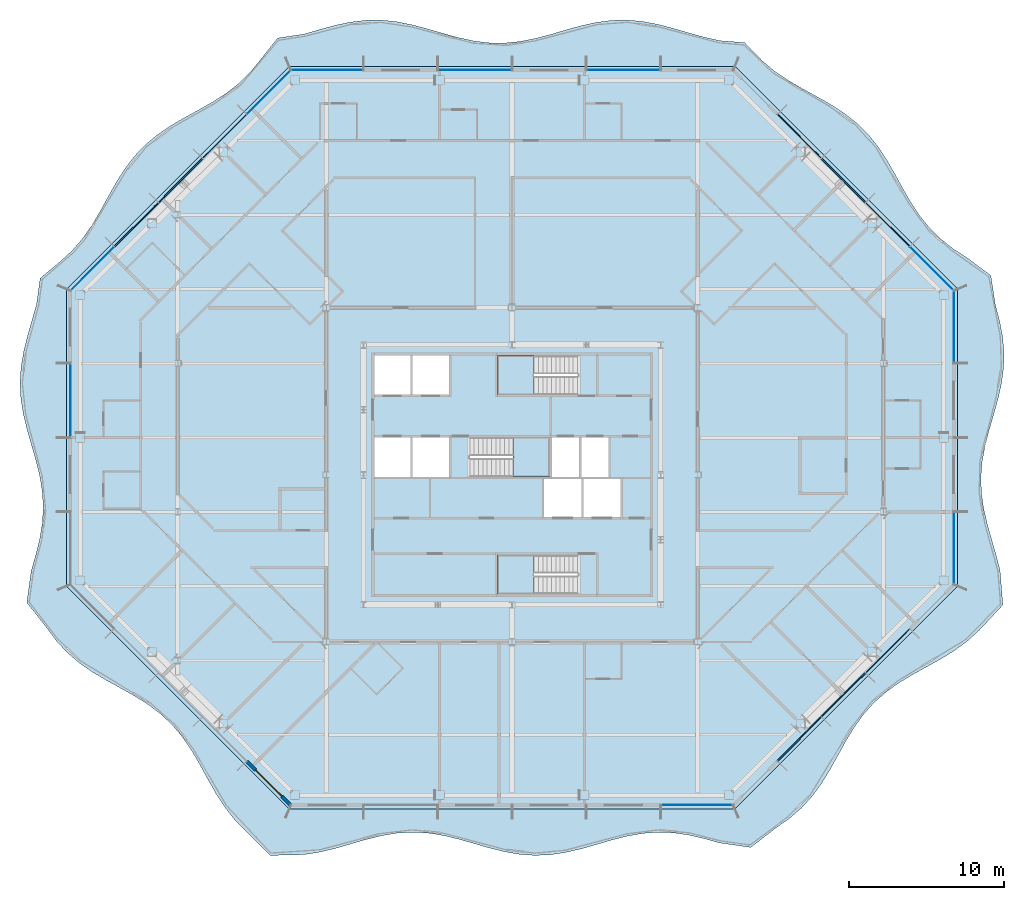
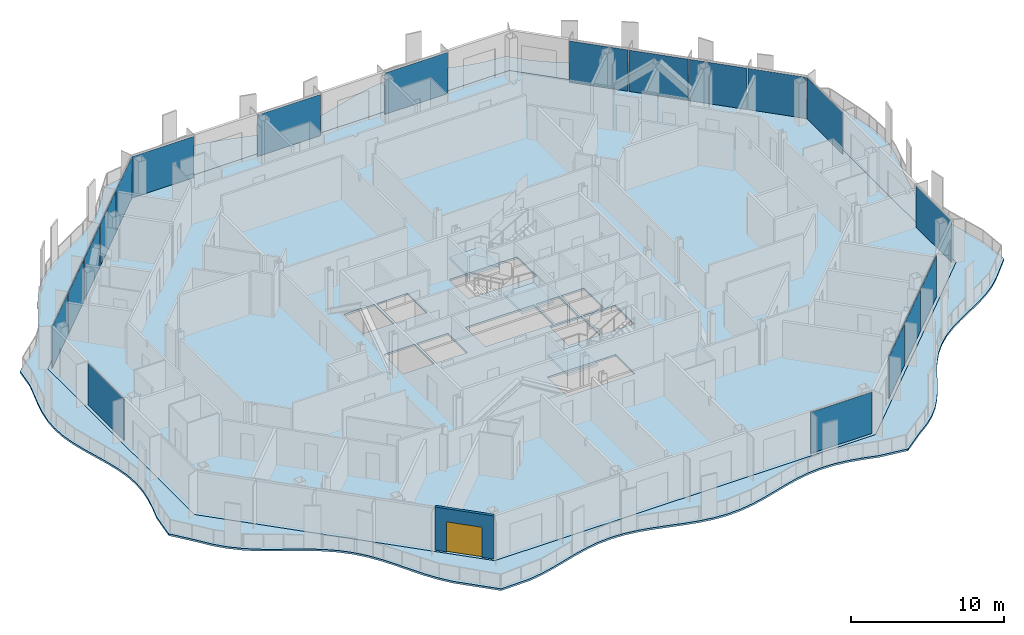
# One storey, part 6 of 21: 19 plates, 5 slabs, 1 door, 1 wall, 1 opening, 10 elements without a shape of their own.
"""IFC4 building model written with IfcOpenShell, lengths in metres."""

from ifc_helpers import new_model, si_unit, direction, frame, frame_2d, origin, origin_2d, place, context, subcontext, project, spatial, polyline, rectangle, outline, extrude, material, layer, layer_set, type_object, element, fill, aggregate, save


model = new_model("IFC4")

# Units and contexts
model_context = context("Model", 3, precision=1e-05, world=origin(), true_north=direction((0.0, 1.0)))
body_context = subcontext(model_context, "Body", "Model", "MODEL_VIEW")
ifc_project = project(units=[si_unit("LENGTHUNIT", "METRE"), si_unit("AREAUNIT", "SQUARE_METRE"), si_unit("VOLUMEUNIT", "CUBIC_METRE"), si_unit("PLANEANGLEUNIT", "RADIAN"), si_unit("MASSUNIT", "GRAM", prefix="KILO")], contexts=[model_context])

# Site, building, storey
site_placement = place(None, origin())
site = spatial("IfcSite", under=ifc_project, at=site_placement, CompositionType="ELEMENT")
building_placement = place(site_placement, origin())
building = spatial("IfcBuilding", under=site, at=building_placement, Name="Cairn Pilgrim Tower", CompositionType="ELEMENT")
storey_placement = place(building_placement, frame((0.0, 0.0, 168.60009765625)))
storey = spatial("IfcBuildingStorey", under=building, at=storey_placement, Name="L42", CompositionType="ELEMENT", Elevation=168.60009765625)

# Slabs
ifc_material_1 = material(Name="Concrete C35/45", Category="concrete")
ifc_layer_1 = layer(ifc_material_1, 0.14990234375)
ifc_layer_set_1 = layer_set([ifc_layer_1], Name="BALCONY SLAB 150 CONCRETE C35/45")
slab_type_1 = type_object("IfcSlabType", Name="BALCONY SLAB 150 CONCRETE C35/45", PredefinedType="FLOOR", material=ifc_layer_set_1)
slab_1_placement = place(storey_placement, frame((0.0, 0.0, -0.150146484375)))
element("IfcSlab", 1, at=slab_1_placement, inside=storey, type_object=slab_type_1, Name="Balcony slab BS-1", PredefinedType="FLOOR", context=body_context, shape_type="SweptSolid", body=[
    extrude(outline(polyline([(-10.033447265625, -20.593505859375), (-8.442626953125, -22.199951171875), (-6.206787109375, -22.143798828125), (-5.2138671875, -21.983154296875), (-4.220703125, -21.74267578125), (-3.2275390625, -21.4580078125), (-2.234375, -21.17236328125), (-1.241455078125, -20.928466796875), (-0.248291015625, -20.7626953125), (0.744873046875, -20.7001953125), (1.738037109375, -20.750244140625), (2.73095703125, -20.905517578125), (3.72412109375, -21.142578125), (4.71728515625, -21.425537109375), (5.71044921875, -21.71240234375), (6.703369140625, -21.9599609375), (7.696533203125, -22.130615234375), (8.689697265625, -22.19921875), (9.682861328125, -22.1552734375), (10.67578125, -22.005615234375), (11.6689453125, -21.772216796875), (12.662109375, -21.49072265625), (13.6552734375, -21.202880859375), (14.648193359375, -20.9521484375), (15.641357421875, -20.7763671875), (16.634521484375, -20.70166015625), (17.627685546875, -20.7392578125), (18.62060546875, -20.8837890625), (19.61376953125, -21.113037109375), (20.60693359375, -21.39306640625), (22.6279296875, -21.681884765625), (24.25830078125, -20.418212890625), (25.10693359375, -19.826904296875), (25.88037109375, -19.160400390625), (26.570556640625, -18.410400390625), (27.181640625, -17.581787109375), (27.731201171875, -16.691162109375), (28.24609375, -15.76611328125), (28.758544921875, -14.838623046875), (29.30126953125, -13.94140625), (29.90234375, -13.1025390625), (30.58056640625, -12.340576171875), (31.342529296875, -11.66259765625), (32.181396484375, -11.0615234375), (33.07861328125, -10.518798828125), (34.00634765625, -10.00634765625), (34.931396484375, -9.491455078125), (35.82177734375, -8.94189453125), (36.650634765625, -8.33056640625), (37.400390625, -7.640380859375), (38.9228515625, -6.0107421875), (38.74267578125, -3.78955078125), (38.48583984375, -2.779052734375), (38.192138671875, -1.768310546875), (37.90771484375, -0.7578125), (37.676513671875, 0.252685546875), (37.5341796875, 1.26318359375), (37.503173828125, 2.273681640625), (37.58837890625, 3.2841796875), (37.7763671875, 4.294677734375), (38.037841796875, 5.30517578125), (38.33251953125, 6.315673828125), (38.6142578125, 7.326416015625), (38.83935546875, 8.3369140625), (38.972900390625, 9.347412109375), (38.993896484375, 10.35791015625), (38.899658203125, 11.368408203125), (38.7041015625, 12.37890625), (38.438232421875, 13.389404296875), (38.14306640625, 15.28759765625), (36.596923828125, 16.43701171875), (35.721923828125, 17.001708984375), (34.914306640625, 17.63427734375), (34.1884765625, 18.348388671875), (33.544921875, 19.14501953125), (32.971923828125, 20.011962890625), (32.446044921875, 20.926025390625), (31.9365234375, 21.856689453125), (31.41064453125, 22.7705078125), (30.83740234375, 23.63720703125), (30.193603515625, 24.43359375), (29.467529296875, 25.1474609375), (28.659912109375, 25.77978515625), (27.784423828125, 26.344482421875), (26.8662109375, 26.8662109375), (25.935791015625, 27.375732421875), (25.02685546875, 27.90673828125), (24.1689453125, 28.489013671875), (23.384033203125, 29.14404296875), (22.23388671875, 30.33056640625), (20.60693359375, 30.465087890625), (19.61376953125, 30.6875), (18.62060546875, 30.96435546875), (17.627685546875, 31.254150390625), (16.634521484375, 31.51318359375), (15.641357421875, 31.70263671875), (14.648193359375, 31.794189453125), (13.6552734375, 31.77392578125), (12.662109375, 31.64501953125), (11.6689453125, 31.426513671875), (10.67578125, 31.15185546875), (9.682861328125, 30.861572265625), (8.689697265625, 30.599853515625), (7.696533203125, 30.405517578125), (6.703369140625, 30.30810546875), (5.71044921875, 30.322021484375), (4.71728515625, 30.4453125), (3.72412109375, 30.659423828125), (2.73095703125, 30.93212890625), (1.738037109375, 31.22265625), (0.744873046875, 31.487060546875), (-0.248291015625, 31.68603515625), (-1.241455078125, 31.789306640625), (-2.234375, 31.78173828125), (-3.2275390625, 31.6640625), (-4.220703125, 31.454345703125), (-5.2138671875, 31.183837890625), (-6.206787109375, 30.893310546875), (-7.95654296875, 30.626220703125), (-9.064697265625, 29.224609375), (-9.708251953125, 28.428466796875), (-10.4345703125, 27.714599609375), (-11.2421875, 27.082275390625), (-12.117431640625, 26.517578125), (-13.035888671875, 25.99609375), (-13.96630859375, 25.486328125), (-14.875244140625, 24.955322265625), (-15.733154296875, 24.373046875), (-16.517822265625, 23.718017578125), (-17.2197265625, 22.979736328125), (-17.841064453125, 22.1611328125), (-18.39794921875, 21.278076171875), (-18.915771484375, 20.355712890625), (-19.426513671875, 19.426513671875), (-19.963134765625, 18.523193359375), (-20.5546875, 17.6748046875), (-21.221435546875, 16.901611328125), (-21.9716796875, 16.211669921875), (-23.298095703125, 15.103271484375), (-23.537109375, 13.389404296875), (-23.824951171875, 12.37890625), (-24.11669921875, 11.368408203125), (-24.366943359375, 10.35791015625), (-24.536865234375, 9.347412109375), (-24.599853515625, 8.3369140625), (-24.54638671875, 7.326416015625), (-24.384765625, 6.315673828125), (-24.14013671875, 5.30517578125), (-23.85009765625, 4.294677734375), (-23.560302734375, 3.2841796875), (-23.3154296875, 2.273681640625), (-23.153564453125, 1.26318359375), (-23.10009765625, 0.252685546875), (-23.1630859375, -0.7578125), (-23.332763671875, -1.768310546875), (-23.5830078125, -2.779052734375), (-23.87451171875, -3.78955078125), (-24.162353515625, -5.861328125), (-22.862060546875, -7.502197265625), (-22.250732421875, -8.330810546875), (-21.560302734375, -9.080322265625), (-20.78662109375, -9.74658203125), (-19.937744140625, -10.337646484375), (-19.0341796875, -10.874267578125), (-18.10498046875, -11.384765625), (-17.182861328125, -11.90283203125), (-16.300048828125, -12.4599609375), (-15.48193359375, -13.08203125), (-14.744140625, -13.7841796875), (-14.089599609375, -14.569580078125), (-13.5078125, -15.427734375), (-12.97705078125, -16.3369140625), (-12.46728515625, -17.267333984375), (-11.945556640625, -18.185546875), (-11.380615234375, -19.060546875), (-10.747802734375, -19.86767578125), (-10.033447265625, -20.593505859375)]), holes=[polyline([(21.60009765625, -19.199951171875), (-7.199951171875, -19.199951171875), (-21.60009765625, -4.800048828125), (-21.60009765625, 14.39990234375), (-7.199951171875, 28.800048828125), (21.60009765625, 28.800048828125), (36.0, 14.39990234375), (36.0, -4.800048828125), (21.60009765625, -19.199951171875)])]), origin(), (0.0, 0.0, 1.0), 0.150146484375),
])
ifc_layer_2 = layer(ifc_material_1, 0.14990234375)
ifc_layer_set_2 = layer_set([ifc_layer_2], Name="COMPOSITE FLOOR SLAB 150")
slab_type_2 = type_object("IfcSlabType", Name="COMPOSITE FLOOR SLAB 150", PredefinedType="FLOOR", material=ifc_layer_set_2)
slab_2_placement = place(storey_placement, frame((0.0, 0.0, -0.150146484375)))
element("IfcSlab", 2, at=slab_2_placement, inside=storey, type_object=slab_type_2, Name="FLOOR SLAB L42", PredefinedType="FLOOR", context=body_context, shape_type="SweptSolid", body=[
    extrude(outline(polyline([(-7.199951171875, -19.199951171875), (21.60009765625, -19.199951171875), (36.0, -4.800048828125), (36.0, 14.39990234375), (21.60009765625, 28.800048828125), (-7.199951171875, 28.800048828125), (-21.60009765625, 14.39990234375), (-21.60009765625, -4.800048828125), (-7.199951171875, -19.199951171875)]), holes=[polyline([(9.27490234375, -0.324951171875), (11.675048828125, -0.324951171875), (11.675048828125, 2.125), (9.27490234375, 2.125), (9.27490234375, -0.324951171875)]), polyline([(11.824951171875, -0.324951171875), (14.22509765625, -0.324951171875), (14.22509765625, 2.125), (11.824951171875, 2.125), (11.824951171875, -0.324951171875)]), polyline([(-1.72509765625, 2.27490234375), (0.625, 2.27490234375), (0.625, 4.824951171875), (-1.72509765625, 4.824951171875), (-1.72509765625, 2.27490234375)]), polyline([(0.77490234375, 2.27490234375), (3.125, 2.27490234375), (3.125, 4.824951171875), (0.77490234375, 4.824951171875), (0.77490234375, 2.27490234375)]), polyline([(-1.72509765625, 7.574951171875), (0.625, 7.574951171875), (0.625, 10.10009765625), (-1.72509765625, 10.10009765625), (-1.72509765625, 7.574951171875)]), polyline([(0.77490234375, 7.574951171875), (3.125, 7.574951171875), (3.125, 10.10009765625), (0.77490234375, 10.10009765625), (0.77490234375, 7.574951171875)]), polyline([(9.77490234375, 2.27490234375), (11.52490234375, 2.27490234375), (11.52490234375, 4.824951171875), (9.77490234375, 4.824951171875), (9.77490234375, 2.27490234375)]), polyline([(11.675048828125, 2.27490234375), (13.425048828125, 2.27490234375), (13.425048828125, 4.824951171875), (11.675048828125, 4.824951171875), (11.675048828125, 2.27490234375)]), polyline([(11.424560546875, -2.77490234375), (6.27490234375, -2.77490234375), (6.27490234375, -5.300048828125), (11.424560546875, -5.300048828125), (11.424560546875, -2.77490234375)]), polyline([(4.4755859375, 2.27490234375), (9.625, 2.27490234375), (9.625, 4.824951171875), (4.4755859375, 4.824951171875), (4.4755859375, 2.27490234375)]), polyline([(11.424560546875, 10.10009765625), (6.27490234375, 10.10009765625), (6.27490234375, 7.574951171875), (11.424560546875, 7.574951171875), (11.424560546875, 10.10009765625)])]), origin(), (0.0, 0.0, 1.0), 0.150146484375),
])

# Curtain wall, plates
ifc_material_2 = material(Name="Aluminium alloy 6063-T6 bronze anodised with Bronze tinted laminated low-E glass 8+16+8.8", Category="aluminium")
curtain_wall_type_1 = type_object("IfcCurtainWallType", Name="CHAMFER CORNER CURTAIN WALL", PredefinedType="NOTDEFINED", material=ifc_material_2)
curtain_wall_1_placement = place(storey_placement, origin())
curtain_wall_1 = element("IfcCurtainWall", 3, at=curtain_wall_1_placement, inside=storey, type_object=curtain_wall_type_1, Name="Chamfer Corner Curtain Wall SE", PredefinedType="NOTDEFINED")
ifc_material_3 = material(Name="Bronze anodised aluminium spandrel panel with mineral wool insulation", Category="aluminium")
ifc_layer_3 = layer(ifc_material_3, 0.06005859375)
ifc_layer_set_3 = layer_set([ifc_layer_3], Name="SPANDREL PANEL 3972x3300")
plate_type_1 = type_object("IfcPlateType", Name="SPANDREL PANEL 3972x3300", PredefinedType="CURTAIN_PANEL", material=ifc_layer_set_3)
plate_1_placement = place(storey_placement, frame((25.7724609375, -14.673828125, 0.0), z_axis=(0.0, 0.0, 1.0), x_axis=(0.707106781187, 0.707106781187, 0.0)))
plate_1 = element("IfcPlate", 4, at=plate_1_placement, type_object=plate_type_1, Name="Spandrel Panel SE2-1", PredefinedType="CURTAIN_PANEL", context=body_context, shape_type="SweptSolid", body=[
    extrude(rectangle(XDim=3.971435546875, YDim=0.06005859375, at=origin_2d()), origin(), (0.0, 0.0, 1.0), 3.300048828125),
])
plate_2_placement = place(storey_placement, frame((28.623291015625, -11.8232421875, 0.0), z_axis=(0.0, 0.0, 1.0), x_axis=(0.707106781187, 0.707106781187, 0.0)))
plate_2 = element("IfcPlate", 5, at=plate_2_placement, type_object=plate_type_1, Name="Spandrel Panel SE3-1", PredefinedType="CURTAIN_PANEL", context=body_context, shape_type="SweptSolid", body=[
    extrude(rectangle(XDim=3.971435546875, YDim=0.06005859375, at=origin_2d()), origin(), (0.0, 0.0, 1.0), 3.300048828125),
])
plate_3_placement = place(storey_placement, frame((31.473876953125, -8.972412109375, 0.0), z_axis=(0.0, 0.0, 1.0), x_axis=(0.707106781187, 0.707106781187, 0.0)))
plate_3 = element("IfcPlate", 6, at=plate_3_placement, type_object=plate_type_1, Name="Spandrel Panel SE4-1", PredefinedType="CURTAIN_PANEL", context=body_context, shape_type="SweptSolid", body=[
    extrude(rectangle(XDim=3.971435546875, YDim=0.06005859375, at=origin_2d()), origin(), (0.0, 0.0, 1.0), 3.300048828125),
])
aggregate(curtain_wall_1, [plate_1, plate_2, plate_3])

curtain_wall_2_placement = place(storey_placement, origin())
curtain_wall_2 = element("IfcCurtainWall", 7, at=curtain_wall_2_placement, inside=storey, type_object=curtain_wall_type_1, Name="Chamfer Corner Curtain Wall NE", PredefinedType="NOTDEFINED")
plate_4_placement = place(storey_placement, frame((31.473876953125, 18.572509765625, 0.0), z_axis=(0.0, 0.0, 1.0), x_axis=(-0.707106781187, 0.707106781187, 0.0)))
plate_4 = element("IfcPlate", 8, at=plate_4_placement, type_object=plate_type_1, Name="Spandrel Panel NE2-1", PredefinedType="CURTAIN_PANEL", context=body_context, shape_type="SweptSolid", body=[
    extrude(rectangle(XDim=3.971435546875, YDim=0.06005859375, at=origin_2d()), origin(), (0.0, 0.0, 1.0), 3.300048828125),
])
plate_5_placement = place(storey_placement, frame((28.623291015625, 21.42333984375, 0.0), z_axis=(0.0, 0.0, 1.0), x_axis=(-0.707106781187, 0.707106781187, 0.0)))
plate_5 = element("IfcPlate", 9, at=plate_5_placement, type_object=plate_type_1, Name="Spandrel Panel NE3-1", PredefinedType="CURTAIN_PANEL", context=body_context, shape_type="SweptSolid", body=[
    extrude(rectangle(XDim=3.971435546875, YDim=0.06005859375, at=origin_2d()), origin(), (0.0, 0.0, 1.0), 3.300048828125),
])
plate_6_placement = place(storey_placement, frame((25.7724609375, 24.27392578125, 0.0), z_axis=(0.0, 0.0, 1.0), x_axis=(-0.707106781187, 0.707106781187, 0.0)))
plate_6 = element("IfcPlate", 10, at=plate_6_placement, type_object=plate_type_1, Name="Spandrel Panel NE4-1", PredefinedType="CURTAIN_PANEL", context=body_context, shape_type="SweptSolid", body=[
    extrude(rectangle(XDim=3.971435546875, YDim=0.06005859375, at=origin_2d()), origin(), (0.0, 0.0, 1.0), 3.300048828125),
])

curtain_wall_3_placement = place(storey_placement, origin())
curtain_wall_3 = element("IfcCurtainWall", 11, at=curtain_wall_3_placement, inside=storey, type_object=curtain_wall_type_1, Name="Chamfer Corner Curtain Wall NW", PredefinedType="NOTDEFINED")
plate_7_placement = place(storey_placement, frame((-11.37255859375, 24.27392578125, 0.0), z_axis=(0.0, 0.0, 1.0), x_axis=(-0.707106781187, -0.707106781187, 0.0)))
plate_7 = element("IfcPlate", 12, at=plate_7_placement, type_object=plate_type_1, Name="Spandrel Panel NW2-1", PredefinedType="CURTAIN_PANEL", context=body_context, shape_type="SweptSolid", body=[
    extrude(rectangle(XDim=3.971435546875, YDim=0.06005859375, at=origin_2d()), origin(), (0.0, 0.0, 1.0), 3.300048828125),
])
plate_8_placement = place(storey_placement, frame((-14.22314453125, 21.42333984375, 0.0), z_axis=(0.0, 0.0, 1.0), x_axis=(-0.707106781187, -0.707106781187, 0.0)))
plate_8 = element("IfcPlate", 13, at=plate_8_placement, type_object=plate_type_1, Name="Spandrel Panel NW3-1", PredefinedType="CURTAIN_PANEL", context=body_context, shape_type="SweptSolid", body=[
    extrude(rectangle(XDim=3.971435546875, YDim=0.06005859375, at=origin_2d()), origin(), (0.0, 0.0, 1.0), 3.300048828125),
])
plate_9_placement = place(storey_placement, frame((-17.073974609375, 18.572509765625, 0.0), z_axis=(0.0, 0.0, 1.0), x_axis=(-0.707106781187, -0.707106781187, 0.0)))
plate_9 = element("IfcPlate", 14, at=plate_9_placement, type_object=plate_type_1, Name="Spandrel Panel NW4-1", PredefinedType="CURTAIN_PANEL", context=body_context, shape_type="SweptSolid", body=[
    extrude(rectangle(XDim=3.971435546875, YDim=0.06005859375, at=origin_2d()), origin(), (0.0, 0.0, 1.0), 3.300048828125),
])

# Stair, slab
ifc_material_4 = material(Name="Concrete C32/40", Category="concrete")
stair_type = type_object("IfcStairType", Name="EXIT STAIR 1200", PredefinedType="HALF_TURN_STAIR", material=ifc_material_4)
stair_1_placement = place(storey_placement, origin())
stair_1 = element("IfcStair", 15, at=stair_1_placement, inside=storey, type_object=stair_type, Name="L42 Exit Stair A", PredefinedType="HALF_TURN_STAIR")
ifc_layer_4 = layer(ifc_material_4, 0.199951171875)
ifc_layer_set_4 = layer_set([ifc_layer_4], Name="STAIR LANDING 200")
slab_type_3 = type_object("IfcSlabType", Name="STAIR LANDING 200", PredefinedType="LANDING", material=ifc_layer_set_4)
slab_3_placement = place(storey_placement, frame((0.0, 0.0, 1.599853515625)))
slab_3 = element("IfcSlab", 16, at=slab_3_placement, type_object=slab_type_3, Name="ST-A landing 1", PredefinedType="LANDING", context=body_context, shape_type="SweptSolid", body=[
    extrude(outline(polyline([(8.625, -2.77490234375), (6.27490234375, -2.77490234375), (6.27490234375, -5.300048828125), (8.625, -5.300048828125), (8.625, -2.77490234375)])), origin(), (0.0, 0.0, 1.0), 0.199951171875),
])
aggregate(stair_1, [slab_3])

stair_2_placement = place(storey_placement, origin())
stair_2 = element("IfcStair", 17, at=stair_2_placement, inside=storey, type_object=stair_type, Name="L42 Exit Stair B", PredefinedType="HALF_TURN_STAIR")
slab_4_placement = place(storey_placement, frame((0.0, 0.0, 1.599853515625)))
slab_4 = element("IfcSlab", 18, at=slab_4_placement, type_object=slab_type_3, Name="ST-B landing 1", PredefinedType="LANDING", context=body_context, shape_type="SweptSolid", body=[
    extrude(outline(polyline([(7.27490234375, 2.27490234375), (9.625, 2.27490234375), (9.625, 4.824951171875), (7.27490234375, 4.824951171875), (7.27490234375, 2.27490234375)])), origin(), (0.0, 0.0, 1.0), 0.199951171875),
])
aggregate(stair_2, [slab_4])

stair_3_placement = place(storey_placement, origin())
stair_3 = element("IfcStair", 19, at=stair_3_placement, inside=storey, type_object=stair_type, Name="L42 Exit Stair C", PredefinedType="HALF_TURN_STAIR")
slab_5_placement = place(storey_placement, frame((0.0, 0.0, 1.599853515625)))
slab_5 = element("IfcSlab", 20, at=slab_5_placement, type_object=slab_type_3, Name="ST-C landing 1", PredefinedType="LANDING", context=body_context, shape_type="SweptSolid", body=[
    extrude(outline(polyline([(8.625, 10.10009765625), (6.27490234375, 10.10009765625), (6.27490234375, 7.574951171875), (8.625, 7.574951171875), (8.625, 10.10009765625)])), origin(), (0.0, 0.0, 1.0), 0.199951171875),
])
aggregate(stair_3, [slab_5])

# Plate
ifc_material_5 = material(Name="Bronze tinted laminated low-E glass 8+16+8.8", Category="glass")
ifc_layer_5 = layer(ifc_material_5, 0.033935546875)
ifc_layer_set_5 = layer_set([ifc_layer_5], Name="VISION GLAZING 3962x3300")
plate_type_2 = type_object("IfcPlateType", Name="VISION GLAZING 3962x3300", PredefinedType="CURTAIN_PANEL", material=ifc_layer_set_5)
plate_10_placement = place(storey_placement, frame((34.321044921875, 15.725341796875, 0.0), z_axis=(0.0, 0.0, 1.0), x_axis=(-0.707106781187, 0.707106781187, 0.0)))
plate_10 = element("IfcPlate", 21, at=plate_10_placement, type_object=plate_type_2, Name="Vision Glazing NE1-1", PredefinedType="CURTAIN_PANEL", context=body_context, shape_type="SweptSolid", body=[
    extrude(rectangle(XDim=3.96142578125, YDim=0.033935546875, at=origin_2d()), origin(), (0.0, 0.0, 1.0), 3.300048828125),
])

aggregate(curtain_wall_2, [plate_10, plate_4, plate_5, plate_6])

plate_11_placement = place(storey_placement, frame((-8.525390625, 27.12109375, 0.0), z_axis=(0.0, 0.0, 1.0), x_axis=(-0.707106781187, -0.707106781187, 0.0)))
plate_11 = element("IfcPlate", 22, at=plate_11_placement, type_object=plate_type_2, Name="Vision Glazing NW1-1", PredefinedType="CURTAIN_PANEL", context=body_context, shape_type="SweptSolid", body=[
    extrude(rectangle(XDim=3.96142578125, YDim=0.033935546875, at=origin_2d()), origin(), (0.0, 0.0, 1.0), 3.300048828125),
])

plate_12_placement = place(storey_placement, frame((-19.921142578125, 15.725341796875, 0.0), z_axis=(0.0, 0.0, 1.0), x_axis=(-0.707106781187, -0.707106781187, 0.0)))
plate_12 = element("IfcPlate", 23, at=plate_12_placement, type_object=plate_type_2, Name="Vision Glazing NW5-1", PredefinedType="CURTAIN_PANEL", context=body_context, shape_type="SweptSolid", body=[
    extrude(rectangle(XDim=3.96142578125, YDim=0.033935546875, at=origin_2d()), origin(), (0.0, 0.0, 1.0), 3.300048828125),
])

aggregate(curtain_wall_3, [plate_11, plate_7, plate_8, plate_9, plate_12])

# Curtain wall, plate
curtain_wall_type_2 = type_object("IfcCurtainWallType", Name="TOWER STICK CURTAIN WALL NS", PredefinedType="NOTDEFINED", material=ifc_material_2)
curtain_wall_4_placement = place(storey_placement, origin())
curtain_wall_4 = element("IfcCurtainWall", 24, at=curtain_wall_4_placement, inside=storey, type_object=curtain_wall_type_2, Name="Tower Stick Curtain Wall Ns S", PredefinedType="NOTDEFINED")
ifc_layer_6 = layer(ifc_material_5, 0.033935546875)
ifc_layer_set_6 = layer_set([ifc_layer_6], Name="VISION GLAZING 4626x3300")
plate_type_3 = type_object("IfcPlateType", Name="VISION GLAZING 4626x3300", PredefinedType="CURTAIN_PANEL", material=ifc_layer_set_6)
plate_13_placement = place(storey_placement, frame((19.143310546875, -18.949951171875, 0.0), z_axis=(0.0, 0.0, 1.0), x_axis=(1.0, 0.0, 0.0)))
plate_13 = element("IfcPlate", 25, at=plate_13_placement, type_object=plate_type_3, Name="Vision Glazing S6-1", PredefinedType="CURTAIN_PANEL", context=body_context, shape_type="SweptSolid", body=[
    extrude(rectangle(XDim=4.62646484375, YDim=0.033935546875, at=origin_2d()), origin(), (0.0, 0.0, 1.0), 3.300048828125),
])
aggregate(curtain_wall_4, [plate_13])

# Curtain wall, plates
curtain_wall_type_3 = type_object("IfcCurtainWallType", Name="TOWER STICK CURTAIN WALL EW", PredefinedType="NOTDEFINED", material=ifc_material_2)
curtain_wall_5_placement = place(storey_placement, origin())
curtain_wall_5 = element("IfcCurtainWall", 26, at=curtain_wall_5_placement, inside=storey, type_object=curtain_wall_type_3, Name="Tower Stick Curtain Wall Ew E", PredefinedType="NOTDEFINED")
plate_14_placement = place(storey_placement, frame((35.75, -2.34326171875, 0.0), z_axis=(0.0, 0.0, 1.0), x_axis=(0.0, 1.0, 0.0)))
plate_14 = element("IfcPlate", 27, at=plate_14_placement, type_object=plate_type_3, Name="Vision Glazing E1-1", PredefinedType="CURTAIN_PANEL", context=body_context, shape_type="SweptSolid", body=[
    extrude(rectangle(XDim=4.62646484375, YDim=0.033935546875, at=origin_2d()), origin(), (0.0, 0.0, 1.0), 3.300048828125),
])
plate_15_placement = place(storey_placement, frame((35.75, 11.943115234375, 0.0), z_axis=(0.0, 0.0, 1.0), x_axis=(0.0, 1.0, 0.0)))
plate_15 = element("IfcPlate", 28, at=plate_15_placement, type_object=plate_type_3, Name="Vision Glazing E4-1", PredefinedType="CURTAIN_PANEL", context=body_context, shape_type="SweptSolid", body=[
    extrude(rectangle(XDim=4.62646484375, YDim=0.033935546875, at=origin_2d()), origin(), (0.0, 0.0, 1.0), 3.300048828125),
])
aggregate(curtain_wall_5, [plate_14, plate_15])

curtain_wall_6_placement = place(storey_placement, origin())
curtain_wall_6 = element("IfcCurtainWall", 29, at=curtain_wall_6_placement, inside=storey, type_object=curtain_wall_type_2, Name="Tower Stick Curtain Wall Ns N", PredefinedType="NOTDEFINED")
plate_16_placement = place(storey_placement, frame((-4.7431640625, 28.550048828125, 0.0), z_axis=(0.0, 0.0, 1.0), x_axis=(-1.0, 0.0, 0.0)))
plate_16 = element("IfcPlate", 30, at=plate_16_placement, type_object=plate_type_3, Name="Vision Glazing N6-1", PredefinedType="CURTAIN_PANEL", context=body_context, shape_type="SweptSolid", body=[
    extrude(rectangle(XDim=4.62646484375, YDim=0.033935546875, at=origin_2d()), origin(), (0.0, 0.0, 1.0), 3.300048828125),
])
ifc_layer_7 = layer(ifc_material_5, 0.033935546875)
ifc_layer_set_7 = layer_set([ifc_layer_7], Name="VISION GLAZING 4740x3300")
plate_type_4 = type_object("IfcPlateType", Name="VISION GLAZING 4740x3300", PredefinedType="CURTAIN_PANEL", material=ifc_layer_set_7)
plate_17_placement = place(storey_placement, frame((14.39990234375, 28.550048828125, 0.0), z_axis=(0.0, 0.0, 1.0), x_axis=(-1.0, 0.0, 0.0)))
plate_17 = element("IfcPlate", 31, at=plate_17_placement, type_object=plate_type_4, Name="Vision Glazing N2-1", PredefinedType="CURTAIN_PANEL", context=body_context, shape_type="SweptSolid", body=[
    extrude(rectangle(XDim=4.739990234375, YDim=0.033935546875, at=origin_2d()), origin(), (0.0, 0.0, 1.0), 3.300048828125),
])
plate_18_placement = place(storey_placement, frame((4.800048828125, 28.550048828125, 0.0), z_axis=(0.0, 0.0, 1.0), x_axis=(-1.0, 0.0, 0.0)))
plate_18 = element("IfcPlate", 32, at=plate_18_placement, type_object=plate_type_4, Name="Vision Glazing N4-1", PredefinedType="CURTAIN_PANEL", context=body_context, shape_type="SweptSolid", body=[
    extrude(rectangle(XDim=4.739990234375, YDim=0.033935546875, at=origin_2d()), origin(), (0.0, 0.0, 1.0), 3.300048828125),
])
aggregate(curtain_wall_6, [plate_17, plate_18, plate_16])

# Curtain wall, plate
curtain_wall_7_placement = place(storey_placement, origin())
curtain_wall_7 = element("IfcCurtainWall", 33, at=curtain_wall_7_placement, inside=storey, type_object=curtain_wall_type_3, Name="Tower Stick Curtain Wall Ew W", PredefinedType="NOTDEFINED")
plate_19_placement = place(storey_placement, frame((-21.35009765625, 7.199951171875, 0.0), z_axis=(0.0, 0.0, 1.0), x_axis=(0.0, -1.0, 0.0)))
plate_19 = element("IfcPlate", 34, at=plate_19_placement, type_object=plate_type_4, Name="Vision Glazing W2-1", PredefinedType="CURTAIN_PANEL", context=body_context, shape_type="SweptSolid", body=[
    extrude(rectangle(XDim=4.739990234375, YDim=0.033935546875, at=origin_2d()), origin(), (0.0, 0.0, 1.0), 3.300048828125),
])
aggregate(curtain_wall_7, [plate_19])

# Wall, opening, door
ifc_material_6 = material(Name="Bronze anodised aluminium insulated sandwich panel with mineral wool fill", Category="aluminium")
ifc_layer_8 = layer(ifc_material_6, 0.199951171875)
ifc_layer_set_8 = layer_set([ifc_layer_8], Name="BRONZE INFILL FRAME WALL 200")
wall_type = type_object("IfcWallType", Name="BRONZE INFILL FRAME WALL 200", PredefinedType="NOTDEFINED", material=ifc_layer_set_8)
wall_placement = place(storey_placement, frame((-9.926025390625, -16.12060546875, 0.0), z_axis=(0.0, 0.0, 1.0), x_axis=(0.707137595296, -0.707075965734, 0.0)))
wall = element("IfcWall", 35, at=wall_placement, inside=storey, type_object=wall_type, Name="Bronze infill frame wall IW-SW5", PredefinedType="NOTDEFINED", context=body_context, shape_type="SweptSolid", body=[
    extrude(rectangle(XDim=3.96142578125, YDim=0.199951171875, at=frame_2d((1.980712890625, 0.0))), origin(), (0.0, 0.0, 1.0), 3.449951171875),
])
opening_placement = place(wall_placement, frame((0.785400390625, 0.0, 0.0)))
opening = element("IfcOpeningElement", 36, at=opening_placement, cuts=wall, Name="Opening 4223B2", PredefinedType="OPENING", context=body_context, shape_type="SweptSolid", body=[
    extrude(rectangle(XDim=2.39990234375, YDim=2.39990234375, at=frame_2d((1.199951171875, 1.199951171875))), frame((0.0, 0.10986328125, 0.0), z_axis=(0.0, -1.0, 0.0), x_axis=(1.0, 0.0, 0.0)), (0.0, 0.0, 1.0), 0.219970703125),
])
ifc_material_7 = material(Name="Bronze anodised aluminium frame with tinted low-E glass", Category="aluminium")
door_type = type_object("IfcDoorType", Name="BALCONY SLIDING DOOR 2400x2400", OperationType="DOUBLE_DOOR_SLIDING", PredefinedType="DOOR", material=ifc_material_7)
door_placement = place(opening_placement, origin())
door = element("IfcDoor", 37, at=door_placement, inside=storey, type_object=door_type, Name="Balcony sliding door 4223B2", OperationType="SINGLE_SWING_LEFT", OverallHeight=2.39990234375, OverallWidth=2.39990234375, PredefinedType="DOOR", context=body_context, shape_type="SweptSolid", body=[
    extrude(rectangle(XDim=2.39990234375, YDim=2.39990234375, at=frame_2d((1.199951171875, 1.199951171875))), frame((0.0, 0.02490234375, 0.0), z_axis=(0.0, -1.0, 0.0), x_axis=(1.0, 0.0, 0.0)), (0.0, 0.0, 1.0), 0.050048828125),
])
fill(opening, door)

save(model, "model.ifc")
